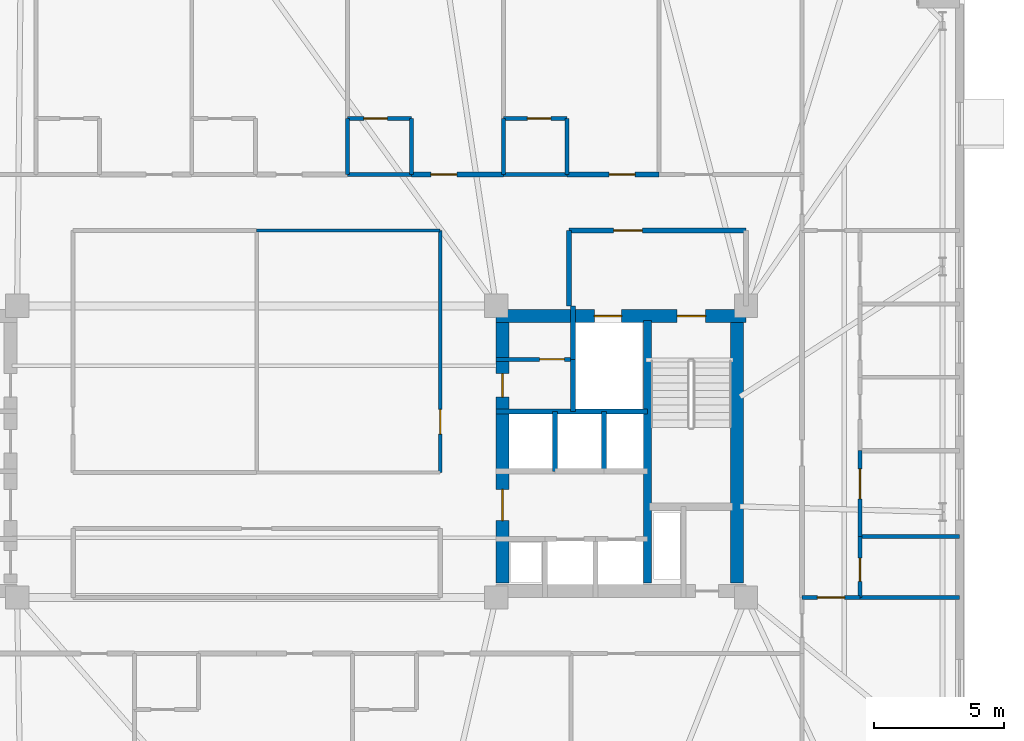
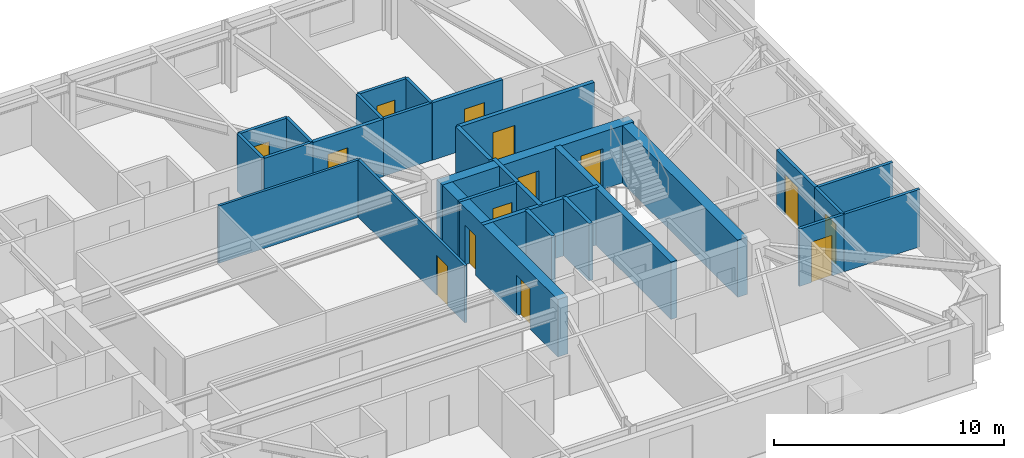
# One storey, part 14 of 18: 29 walls, 14 doors, 14 openings.
"""IFC4 building model written with IfcOpenShell, lengths in metres."""

from ifc_helpers import new_model, si_unit, direction, frame, frame_2d, origin, place, context, subcontext, project, spatial, rectangle, extrude, material, layer, layer_set, type_object, element, fill, save


model = new_model("IFC4")

# Units and contexts
model_context = context("Model", 3, precision=1e-05, world=origin(), true_north=direction((0.0, 1.0)))
body_context = subcontext(model_context, "Body", "Model", "MODEL_VIEW")
ifc_project = project(units=[si_unit("LENGTHUNIT", "METRE"), si_unit("AREAUNIT", "SQUARE_METRE"), si_unit("VOLUMEUNIT", "CUBIC_METRE"), si_unit("PLANEANGLEUNIT", "RADIAN"), si_unit("MASSUNIT", "GRAM", prefix="KILO")], contexts=[model_context])

# Site, building, storey
site_placement = place(None, origin())
site = spatial("IfcSite", under=ifc_project, at=site_placement, CompositionType="ELEMENT")
building_placement = place(site_placement, origin())
building = spatial("IfcBuilding", under=site, at=building_placement, Name="Qobustan Lattice House", CompositionType="ELEMENT")
storey_placement = place(building_placement, frame((0.0, 0.0, 134.35009765625)))
storey = spatial("IfcBuildingStorey", under=building, at=storey_placement, Name="L37", CompositionType="ELEMENT", Elevation=134.35009765625)

# Wall, openings, doors
ifc_material_1 = material(Name="Concrete C50/60", Category="concrete")
ifc_layer_1 = layer(ifc_material_1, 0.5)
ifc_layer_set_1 = layer_set([ifc_layer_1], Name="Concrete C50/60")
wall_type_1 = type_object("IfcWallType", Name="WAL-CORE-500", PredefinedType="SHEAR", material=ifc_layer_set_1)
wall_1_placement = place(storey_placement, frame((9.199951171875, 5.2099609375, 0.0), z_axis=(0.0, 0.0, 1.0), x_axis=(1.0, 0.0, 0.0)))
wall_1 = element("IfcWall", 1, at=wall_1_placement, inside=storey, type_object=wall_type_1, Name="L37 split-core shear wall CE-N", PredefinedType="SHEAR", context=body_context, shape_type="SweptSolid", body=[
    extrude(rectangle(XDim=9.60009765625, YDim=0.5, at=frame_2d((4.800048828125, 0.0))), origin(), (0.0, 0.0, 1.0), 3.039794921875),
])
opening_1_placement = place(wall_1_placement, frame((6.949951171875, 0.0, 0.0)))
opening_1 = element("IfcOpeningElement", 2, at=opening_1_placement, cuts=wall_1, Name="Opening SD-01", PredefinedType="OPENING", context=body_context, shape_type="SweptSolid", body=[
    extrude(rectangle(XDim=1.10009765625, YDim=2.14990234375, at=frame_2d((0.550048828125, 1.074951171875))), frame((0.0, 0.260009765625, 0.0), z_axis=(0.0, -1.0, 0.0), x_axis=(1.0, 0.0, 0.0)), (0.0, 0.0, 1.0), 0.52001953125),
])
opening_2_placement = place(wall_1_placement, frame((3.77490234375, 0.0, 0.0)))
opening_2 = element("IfcOpeningElement", 3, at=opening_2_placement, cuts=wall_1, Name="Opening LD-01", PredefinedType="OPENING", context=body_context, shape_type="SweptSolid", body=[
    extrude(rectangle(XDim=1.050048828125, YDim=2.10009765625, at=frame_2d((0.52490234375, 1.050048828125))), frame((0.0, 0.260009765625, 0.0), z_axis=(0.0, -1.0, 0.0), x_axis=(1.0, 0.0, 0.0)), (0.0, 0.0, 1.0), 0.52001953125),
])
ifc_material_2 = material(Name="Persian walnut timber and steel frame door", Category="steel")
door_type_1 = type_object("IfcDoorType", Name="DOR-LIFT-LD-1050x2100", OperationType="NOTDEFINED", PredefinedType="DOOR", material=ifc_material_2)
door_1_placement = place(opening_2_placement, origin())
door_1 = element("IfcDoor", 4, at=door_1_placement, inside=storey, type_object=door_type_1, Name="L37 firefighting lift FF-E landing door", OperationType="DOUBLE_DOOR_SLIDING", OverallHeight=2.10009765625, OverallWidth=1.050048828125, PredefinedType="DOOR", context=body_context, shape_type="SweptSolid", body=[
    extrude(rectangle(XDim=1.050048828125, YDim=2.10009765625, at=frame_2d((0.52490234375, 1.050048828125))), frame((0.0, 0.02490234375, 0.0), z_axis=(0.0, -1.0, 0.0), x_axis=(1.0, 0.0, 0.0)), (0.0, 0.0, 1.0), 0.050048828125),
])
fill(opening_2, door_1)
ifc_material_3 = material(Name="Persian walnut timber and steel frame door", Category="steel")
door_type_2 = type_object("IfcDoorType", Name="DOR-STAIR-FD-1100x2150", OperationType="NOTDEFINED", PredefinedType="DOOR", material=ifc_material_3)
door_2_placement = place(opening_1_placement, origin())
door_2 = element("IfcDoor", 5, at=door_2_placement, inside=storey, type_object=door_type_2, Name="L37 exit stair ST-E1 fire door", OperationType="SINGLE_SWING_RIGHT", OverallHeight=2.14990234375, OverallWidth=1.10009765625, PredefinedType="DOOR", context=body_context, shape_type="SweptSolid", body=[
    extrude(rectangle(XDim=1.10009765625, YDim=2.14990234375, at=frame_2d((0.550048828125, 1.074951171875))), frame((0.0, 0.02490234375, 0.0), z_axis=(0.0, -1.0, 0.0), x_axis=(1.0, 0.0, 0.0)), (0.0, 0.0, 1.0), 0.050048828125),
])
fill(opening_1, door_2)

wall_2_placement = place(storey_placement, frame((9.449951171875, -5.050048828125, 0.0), z_axis=(0.0, 0.0, 1.0), x_axis=(0.0, 1.0, 0.0)))
wall_2 = element("IfcWall", 6, at=wall_2_placement, inside=storey, type_object=wall_type_1, Name="L37 split-core shear wall CE-W", PredefinedType="SHEAR", context=body_context, shape_type="SweptSolid", body=[
    extrude(rectangle(XDim=10.10009765625, YDim=0.5, at=frame_2d((5.050048828125, 0.0))), origin(), (0.0, 0.0, 1.0), 3.039794921875),
])
opening_3_placement = place(wall_2_placement, frame((7.14990234375, 0.0, 0.0)))
opening_3 = element("IfcOpeningElement", 7, at=opening_3_placement, cuts=wall_2, Name="Opening RD-01", PredefinedType="OPENING", context=body_context, shape_type="SweptSolid", body=[
    extrude(rectangle(XDim=0.89990234375, YDim=2.10009765625, at=frame_2d((0.449951171875, 1.050048828125))), frame((0.0, 0.260009765625, 0.0), z_axis=(0.0, -1.0, 0.0), x_axis=(1.0, 0.0, 0.0)), (0.0, 0.0, 1.0), 0.52001953125),
])
opening_4_placement = place(wall_2_placement, frame((2.39990234375, 0.0, 0.0)))
opening_4 = element("IfcOpeningElement", 8, at=opening_4_placement, cuts=wall_2, Name="Opening FD-01", PredefinedType="OPENING", context=body_context, shape_type="SweptSolid", body=[
    extrude(rectangle(XDim=1.199951171875, YDim=2.14990234375, at=frame_2d((0.60009765625, 1.074951171875))), frame((0.0, 0.260009765625, 0.0), z_axis=(0.0, -1.0, 0.0), x_axis=(1.0, 0.0, 0.0)), (0.0, 0.0, 1.0), 0.52001953125),
])
ifc_material_4 = material(Name="Persian walnut timber and steel frame door", Category="steel")
door_type_3 = type_object("IfcDoorType", Name="DOR-LOBBY-FD-1200x2150", OperationType="NOTDEFINED", PredefinedType="DOOR", material=ifc_material_4)
door_3_placement = place(opening_4_placement, origin())
door_3 = element("IfcDoor", 9, at=door_3_placement, inside=storey, type_object=door_type_3, Name="L37 East passenger lift lobby fire door", OperationType="SINGLE_SWING_RIGHT", OverallHeight=2.14990234375, OverallWidth=1.199951171875, PredefinedType="DOOR", context=body_context, shape_type="SweptSolid", body=[
    extrude(rectangle(XDim=1.199951171875, YDim=2.14990234375, at=frame_2d((0.60009765625, 1.074951171875))), frame((0.0, 0.02490234375, 0.0), z_axis=(0.0, -1.0, 0.0), x_axis=(1.0, 0.0, 0.0)), (0.0, 0.0, 1.0), 0.050048828125),
])
fill(opening_4, door_3)
ifc_material_5 = material(Name="Persian walnut timber and steel frame door", Category="steel")
door_type_4 = type_object("IfcDoorType", Name="DOR-RISER-FD-900x2100", OperationType="NOTDEFINED", PredefinedType="DOOR", material=ifc_material_5)
door_4_placement = place(opening_3_placement, origin())
door_4 = element("IfcDoor", 10, at=door_4_placement, inside=storey, type_object=door_type_4, Name="L37 Housekeeping utility foyer fire door", OperationType="SINGLE_SWING_LEFT", OverallHeight=2.10009765625, OverallWidth=0.89990234375, PredefinedType="DOOR", context=body_context, shape_type="SweptSolid", body=[
    extrude(rectangle(XDim=0.89990234375, YDim=2.10009765625, at=frame_2d((0.449951171875, 1.050048828125))), frame((0.0, 0.02490234375, 0.0), z_axis=(0.0, -1.0, 0.0), x_axis=(1.0, 0.0, 0.0)), (0.0, 0.0, 1.0), 0.050048828125),
])
fill(opening_3, door_4)

# Walls
wall_3_placement = place(storey_placement, frame((18.4599609375, -5.050048828125, 0.0), z_axis=(0.0, 0.0, 1.0), x_axis=(0.0, 1.0, 0.0)))
element("IfcWall", 11, at=wall_3_placement, inside=storey, type_object=wall_type_1, Name="L37 split-core shear wall CE-E", PredefinedType="SHEAR", context=body_context, shape_type="SweptSolid", body=[
    extrude(rectangle(XDim=10.10009765625, YDim=0.5, at=frame_2d((5.050048828125, 0.0))), origin(), (0.0, 0.0, 1.0), 3.039794921875),
])
ifc_material_6 = material(Name="Concrete C50/60", Category="concrete")
ifc_layer_2 = layer(ifc_material_6, 0.280029296875)
ifc_layer_set_2 = layer_set([ifc_layer_2], Name="Concrete C50/60")
wall_type_2 = type_object("IfcWallType", Name="WAL-CORE-SPINE-280", PredefinedType="SHEAR", material=ifc_layer_set_2)
wall_4_placement = place(storey_placement, frame((15.02001953125, -5.050048828125, 0.0), z_axis=(0.0, 0.0, 1.0), x_axis=(0.0, 1.0, 0.0)))
element("IfcWall", 12, at=wall_4_placement, inside=storey, type_object=wall_type_2, Name="L37 split-core shear wall CE-M", PredefinedType="SHEAR", context=body_context, shape_type="SweptSolid", body=[
    extrude(rectangle(XDim=10.10009765625, YDim=0.300048828125, at=frame_2d((5.050048828125, 0.0))), origin(), (0.0, 0.0, 1.0), 3.039794921875),
])

# Wall, opening, door
ifc_material_7 = material(Name="Gypsum fireboard acoustic partition", Category="gypsum")
ifc_layer_3 = layer(ifc_material_7, 0.179931640625)
ifc_layer_set_3 = layer_set([ifc_layer_3], Name="Gypsum fireboard acoustic partition")
wall_type_3 = type_object("IfcWallType", Name="WAL-FIRE-180", PredefinedType="PARTITIONING", material=ifc_layer_set_3)
wall_5_placement = place(storey_placement, frame((5.943115234375, 10.64990234375, 0.0), z_axis=(0.0, 0.0, 1.0), x_axis=(1.0, 0.0, 0.0)))
wall_5 = element("IfcWall", 13, at=wall_5_placement, inside=storey, type_object=wall_type_3, Name="L37 interior partition 44", PredefinedType="PARTITIONING", context=body_context, shape_type="SweptSolid", body=[
    extrude(rectangle(XDim=3.535888671875, YDim=0.179931640625, at=frame_2d((1.76806640625, 0.0))), origin(), (0.0, 0.0, 1.0), 3.039794921875),
])
opening_5_placement = place(wall_5_placement, frame((0.751953125, 0.0, 0.0)))
opening_5 = element("IfcOpeningElement", 14, at=opening_5_placement, cuts=wall_5, Name="Opening FD-02", PredefinedType="OPENING", context=body_context, shape_type="SweptSolid", body=[
    extrude(rectangle(XDim=1.0, YDim=2.14990234375, at=frame_2d((0.5, 1.074951171875))), frame((0.0, 0.099853515625, 0.0), z_axis=(0.0, -1.0, 0.0), x_axis=(1.0, 0.0, 0.0)), (0.0, 0.0, 1.0), 0.199951171875),
])
ifc_material_8 = material(Name="Persian walnut timber and steel frame door", Category="steel")
door_type_5 = type_object("IfcDoorType", Name="DOR-UNIT-FD-1000x2150", OperationType="NOTDEFINED", PredefinedType="DOOR", material=ifc_material_8)
door_5_placement = place(opening_5_placement, origin())
door_5 = element("IfcDoor", 15, at=door_5_placement, inside=storey, type_object=door_type_5, Name="L37 North-east floor corridor to Kitchenette and studio apartment L37-N5 door", OperationType="SINGLE_SWING_RIGHT", OverallHeight=2.14990234375, OverallWidth=1.0, PredefinedType="DOOR", context=body_context, shape_type="SweptSolid", body=[
    extrude(rectangle(XDim=1.0, YDim=2.14990234375, at=frame_2d((0.5, 1.074951171875))), frame((0.0, 0.02490234375, 0.0), z_axis=(0.0, -1.0, 0.0), x_axis=(1.0, 0.0, 0.0)), (0.0, 0.0, 1.0), 0.050048828125),
])
fill(opening_5, door_5)

wall_6_placement = place(storey_placement, frame((11.928955078125, 10.64990234375, 0.0), z_axis=(0.0, 0.0, 1.0), x_axis=(1.0, 0.0, 0.0)))
wall_6 = element("IfcWall", 16, at=wall_6_placement, inside=storey, type_object=wall_type_3, Name="L37 interior partition 46", PredefinedType="PARTITIONING", context=body_context, shape_type="SweptSolid", body=[
    extrude(rectangle(XDim=3.53515625, YDim=0.179931640625, at=frame_2d((1.767578125, 0.0))), origin(), (0.0, 0.0, 1.0), 3.039794921875),
])
opening_6_placement = place(wall_6_placement, frame((1.611328125, 0.0, 0.0)))
opening_6 = element("IfcOpeningElement", 17, at=opening_6_placement, cuts=wall_6, Name="Opening FD-02", PredefinedType="OPENING", context=body_context, shape_type="SweptSolid", body=[
    extrude(rectangle(XDim=1.0, YDim=2.14990234375, at=frame_2d((0.5, 1.074951171875))), frame((0.0, 0.099853515625, 0.0), z_axis=(0.0, -1.0, 0.0), x_axis=(1.0, 0.0, 0.0)), (0.0, 0.0, 1.0), 0.199951171875),
])
door_6_placement = place(opening_6_placement, origin())
door_6 = element("IfcDoor", 18, at=door_6_placement, inside=storey, type_object=door_type_5, Name="L37 North-east floor corridor to Kitchenette and studio apartment L37-N6 door", OperationType="SINGLE_SWING_LEFT", OverallHeight=2.14990234375, OverallWidth=1.0, PredefinedType="DOOR", context=body_context, shape_type="SweptSolid", body=[
    extrude(rectangle(XDim=1.0, YDim=2.14990234375, at=frame_2d((0.5, 1.074951171875))), frame((0.0, 0.02490234375, 0.0), z_axis=(0.0, -1.0, 0.0), x_axis=(1.0, 0.0, 0.0)), (0.0, 0.0, 1.0), 0.050048828125),
])
fill(opening_6, door_6)

# Wall
ifc_material_9 = material(Name="Lightweight acoustic stud partition", Category="gypsum")
ifc_layer_4 = layer(ifc_material_9, 0.125)
ifc_layer_set_4 = layer_set([ifc_layer_4], Name="Lightweight acoustic stud partition")
wall_type_4 = type_object("IfcWallType", Name="WAL-PART-125", PredefinedType="PARTITIONING", material=ifc_layer_set_4)
wall_7_placement = place(storey_placement, frame((7.050048828125, 8.5, 0.0), z_axis=(0.0, 0.0, 1.0), x_axis=(-1.0, 0.0, 0.0)))
element("IfcWall", 19, at=wall_7_placement, inside=storey, type_object=wall_type_4, Name="L37 interior partition 49", PredefinedType="PARTITIONING", context=body_context, shape_type="SweptSolid", body=[
    extrude(rectangle(XDim=7.050048828125, YDim=0.125, at=frame_2d((3.52490234375, 0.0))), origin(), (0.0, 0.0, 1.0), 3.039794921875),
])

# Wall, opening, door
wall_8_placement = place(storey_placement, frame((7.050048828125, -0.800048828125, 0.0), z_axis=(0.0, 0.0, 1.0), x_axis=(0.0, 1.0, 0.0)))
wall_8 = element("IfcWall", 20, at=wall_8_placement, inside=storey, type_object=wall_type_4, Name="L37 interior partition 70", PredefinedType="PARTITIONING", context=body_context, shape_type="SweptSolid", body=[
    extrude(rectangle(XDim=9.300048828125, YDim=0.125, at=frame_2d((4.64990234375, 0.0))), origin(), (0.0, 0.0, 1.0), 3.039794921875),
])
opening_7_placement = place(wall_8_placement, frame((1.478759765625, 0.0, 0.0)))
opening_7 = element("IfcOpeningElement", 21, at=opening_7_placement, cuts=wall_8, Name="Opening ID-01", PredefinedType="OPENING", context=body_context, shape_type="SweptSolid", body=[
    extrude(rectangle(XDim=0.949951171875, YDim=2.10009765625, at=frame_2d((0.47509765625, 1.050048828125))), frame((0.0, 0.072509765625, 0.0), z_axis=(0.0, -1.0, 0.0), x_axis=(1.0, 0.0, 0.0)), (0.0, 0.0, 1.0), 0.14501953125),
])
ifc_material_10 = material(Name="Persian walnut timber and steel frame door", Category="steel")
door_type_6 = type_object("IfcDoorType", Name="DOR-ROOM-950x2100", OperationType="NOTDEFINED", PredefinedType="DOOR", material=ifc_material_10)
door_7_placement = place(opening_7_placement, origin())
door_7 = element("IfcDoor", 22, at=door_7_placement, inside=storey, type_object=door_type_6, Name="L37 East floor link corridor to Focus booth salon door", OperationType="SINGLE_SWING_RIGHT", OverallHeight=2.10009765625, OverallWidth=0.949951171875, PredefinedType="DOOR", context=body_context, shape_type="SweptSolid", body=[
    extrude(rectangle(XDim=0.949951171875, YDim=2.10009765625, at=frame_2d((0.47509765625, 1.050048828125))), frame((0.0, 0.02490234375, 0.0), z_axis=(0.0, -1.0, 0.0), x_axis=(1.0, 0.0, 0.0)), (0.0, 0.0, 1.0), 0.050048828125),
])
fill(opening_7, door_7)

ifc_material_11 = material(Name="Acoustic twin-stud gypsum partition", Category="gypsum")
ifc_layer_5 = layer(ifc_material_11, 0.14990234375)
ifc_layer_set_5 = layer_set([ifc_layer_5], Name="Acoustic twin-stud gypsum partition")
wall_type_5 = type_object("IfcWallType", Name="WAL-PART-150", PredefinedType="PARTITIONING", material=ifc_layer_set_5)
wall_9_placement = place(storey_placement, frame((12.14990234375, 3.550048828125, 0.0), z_axis=(0.0, 0.0, 1.0), x_axis=(-1.0, 0.0, 0.0)))
wall_9 = element("IfcWall", 23, at=wall_9_placement, inside=storey, type_object=wall_type_5, Name="L37 interior partition 21", PredefinedType="PARTITIONING", context=body_context, shape_type="SweptSolid", body=[
    extrude(rectangle(XDim=2.949951171875, YDim=0.14990234375, at=frame_2d((1.47509765625, 0.0))), origin(), (0.0, 0.0, 1.0), 3.039794921875),
])
opening_8_placement = place(wall_9_placement, frame((0.324951171875, 0.0, 0.0)))
opening_8 = element("IfcOpeningElement", 24, at=opening_8_placement, cuts=wall_9, Name="Opening ID-01", PredefinedType="OPENING", context=body_context, shape_type="SweptSolid", body=[
    extrude(rectangle(XDim=0.949951171875, YDim=2.10009765625, at=frame_2d((0.47509765625, 1.050048828125))), frame((0.0, 0.0849609375, 0.0), z_axis=(0.0, -1.0, 0.0), x_axis=(1.0, 0.0, 0.0)), (0.0, 0.0, 1.0), 0.169921875),
])
door_8_placement = place(opening_8_placement, origin())
door_8 = element("IfcDoor", 25, at=door_8_placement, inside=storey, type_object=door_type_6, Name="L37 Housekeeping utility foyer to Cleaner cupboard door", OperationType="SINGLE_SWING_RIGHT", OverallHeight=2.10009765625, OverallWidth=0.949951171875, PredefinedType="DOOR", context=body_context, shape_type="SweptSolid", body=[
    extrude(rectangle(XDim=0.949951171875, YDim=2.10009765625, at=frame_2d((0.47509765625, 1.050048828125))), frame((0.0, 0.02490234375, 0.0), z_axis=(0.0, -1.0, 0.0), x_axis=(1.0, 0.0, 0.0)), (0.0, 0.0, 1.0), 0.050048828125),
])
fill(opening_8, door_8)

wall_10_placement = place(storey_placement, frame((23.179931640625, -5.60009765625, 0.0), z_axis=(0.0, 0.0, 1.0), x_axis=(-1.0, 0.0, 0.0)))
wall_10 = element("IfcWall", 26, at=wall_10_placement, inside=storey, type_object=wall_type_5, Name="L37 interior partition 90", PredefinedType="PARTITIONING", context=body_context, shape_type="SweptSolid", body=[
    extrude(rectangle(XDim=2.22998046875, YDim=0.14990234375, at=frame_2d((1.114990234375, 0.0))), origin(), (0.0, 0.0, 1.0), 3.039794921875),
])
opening_9_placement = place(wall_10_placement, frame((0.590087890625, 0.0, 0.0)))
opening_9 = element("IfcOpeningElement", 27, at=opening_9_placement, cuts=wall_10, Name="Opening ID-02", PredefinedType="OPENING", context=body_context, shape_type="SweptSolid", body=[
    extrude(rectangle(XDim=1.050048828125, YDim=2.14990234375, at=frame_2d((0.52490234375, 1.074951171875))), frame((0.0, 0.0849609375, 0.0), z_axis=(0.0, -1.0, 0.0), x_axis=(1.0, 0.0, 0.0)), (0.0, 0.0, 1.0), 0.169921875),
])
ifc_material_12 = material(Name="Persian walnut timber and steel frame door", Category="steel")
door_type_7 = type_object("IfcDoorType", Name="DOR-STUDY-1050x2150", OperationType="NOTDEFINED", PredefinedType="DOOR", material=ifc_material_12)
door_9_placement = place(opening_9_placement, origin())
door_9 = element("IfcDoor", 28, at=door_9_placement, inside=storey, type_object=door_type_7, Name="L37 Residence entrance hall L37E to Reading study room L37ES door", OperationType="SINGLE_SWING_RIGHT", OverallHeight=2.14990234375, OverallWidth=1.050048828125, PredefinedType="DOOR", context=body_context, shape_type="SweptSolid", body=[
    extrude(rectangle(XDim=1.050048828125, YDim=2.14990234375, at=frame_2d((0.52490234375, 1.074951171875))), frame((0.0, 0.02490234375, 0.0), z_axis=(0.0, -1.0, 0.0), x_axis=(1.0, 0.0, 0.0)), (0.0, 0.0, 1.0), 0.050048828125),
])
fill(opening_9, door_9)

ifc_material_13 = material(Name="High-mass acoustic twin-stud partition", Category="gypsum")
ifc_layer_6 = layer(ifc_material_13, 0.1650390625)
ifc_layer_set_6 = layer_set([ifc_layer_6], Name="High-mass acoustic twin-stud partition")
wall_type_6 = type_object("IfcWallType", Name="WAL-PART-165", PredefinedType="PARTITIONING", material=ifc_layer_set_6)
wall_11_placement = place(storey_placement, frame((23.179931640625, 0.0400390625, 0.0), z_axis=(0.0, 0.0, 1.0), x_axis=(0.0, -1.0, 0.0)))
wall_11 = element("IfcWall", 29, at=wall_11_placement, inside=storey, type_object=wall_type_6, Name="L37 interior partition 92", PredefinedType="PARTITIONING", context=body_context, shape_type="SweptSolid", body=[
    extrude(rectangle(XDim=3.2900390625, YDim=0.1650390625, at=frame_2d((1.64501953125, 0.0))), origin(), (0.0, 0.0, 1.0), 3.039794921875),
])
opening_10_placement = place(wall_11_placement, frame((0.702392578125, 0.0, 0.0)))
opening_10 = element("IfcOpeningElement", 30, at=opening_10_placement, cuts=wall_11, Name="Opening ID-03", PredefinedType="OPENING", context=body_context, shape_type="SweptSolid", body=[
    extrude(rectangle(XDim=1.14990234375, YDim=2.14990234375, at=frame_2d((0.574951171875, 1.074951171875))), frame((0.0, 0.092529296875, 0.0), z_axis=(0.0, -1.0, 0.0), x_axis=(1.0, 0.0, 0.0)), (0.0, 0.0, 1.0), 0.18505859375),
])
ifc_material_14 = material(Name="Persian walnut timber and steel frame door", Category="steel")
door_type_8 = type_object("IfcDoorType", Name="DOR-KITCH-1150x2150", OperationType="NOTDEFINED", PredefinedType="DOOR", material=ifc_material_14)
door_10_placement = place(opening_10_placement, origin())
door_10 = element("IfcDoor", 31, at=door_10_placement, inside=storey, type_object=door_type_8, Name="L37 Residence entrance hall L37E to Shared kitchen L37E door", OperationType="SINGLE_SWING_RIGHT", OverallHeight=2.14990234375, OverallWidth=1.14990234375, PredefinedType="DOOR", context=body_context, shape_type="SweptSolid", body=[
    extrude(rectangle(XDim=1.14990234375, YDim=2.14990234375, at=frame_2d((0.574951171875, 1.074951171875))), frame((0.0, 0.02490234375, 0.0), z_axis=(0.0, -1.0, 0.0), x_axis=(1.0, 0.0, 0.0)), (0.0, 0.0, 1.0), 0.050048828125),
])
fill(opening_10, door_10)

ifc_material_15 = material(Name="Two-hour gypsum fireboard acoustic partition", Category="gypsum")
ifc_layer_7 = layer(ifc_material_15, 0.199951171875)
ifc_layer_set_7 = layer_set([ifc_layer_7], Name="Two-hour gypsum fireboard acoustic partition")
wall_type_7 = type_object("IfcWallType", Name="WAL-PROT-200", PredefinedType="PARTITIONING", material=ifc_layer_set_7)
wall_12_placement = place(storey_placement, frame((18.800048828125, 8.5, 0.0), z_axis=(0.0, 0.0, 1.0), x_axis=(-1.0, 0.0, 0.0)))
wall_12 = element("IfcWall", 32, at=wall_12_placement, inside=storey, type_object=wall_type_7, Name="L37 interior partition 18", PredefinedType="PARTITIONING", context=body_context, shape_type="SweptSolid", body=[
    extrude(rectangle(XDim=6.800048828125, YDim=0.199951171875, at=frame_2d((3.39990234375, 0.0))), origin(), (0.0, 0.0, 1.0), 3.039794921875),
])
opening_11_placement = place(wall_12_placement, frame((3.985107421875, 0.0, 0.0)))
opening_11 = element("IfcOpeningElement", 33, at=opening_11_placement, cuts=wall_12, Name="Opening SD-01", PredefinedType="OPENING", context=body_context, shape_type="SweptSolid", body=[
    extrude(rectangle(XDim=1.10009765625, YDim=2.14990234375, at=frame_2d((0.550048828125, 1.074951171875))), frame((0.0, 0.10986328125, 0.0), z_axis=(0.0, -1.0, 0.0), x_axis=(1.0, 0.0, 0.0)), (0.0, 0.0, 1.0), 0.219970703125),
])
door_11_placement = place(opening_11_placement, origin())
door_11 = element("IfcDoor", 34, at=door_11_placement, inside=storey, type_object=door_type_2, Name="L37 East firefighting lift lobby to North-east floor corridor door", OperationType="SINGLE_SWING_LEFT", OverallHeight=2.14990234375, OverallWidth=1.10009765625, PredefinedType="DOOR", context=body_context, shape_type="SweptSolid", body=[
    extrude(rectangle(XDim=1.10009765625, YDim=2.14990234375, at=frame_2d((0.550048828125, 1.074951171875))), frame((0.0, 0.02490234375, 0.0), z_axis=(0.0, -1.0, 0.0), x_axis=(1.0, 0.0, 0.0)), (0.0, 0.0, 1.0), 0.050048828125),
])
fill(opening_11, door_11)

# Walls
wall_13_placement = place(storey_placement, frame((12.0, 8.5, 0.0), z_axis=(0.0, 0.0, 1.0), x_axis=(0.0, -1.0, 0.0)))
element("IfcWall", 35, at=wall_13_placement, inside=storey, type_object=wall_type_7, Name="L37 interior partition 20", PredefinedType="PARTITIONING", context=body_context, shape_type="SweptSolid", body=[
    extrude(rectangle(XDim=2.89990234375, YDim=0.199951171875, at=frame_2d((1.449951171875, 0.0))), origin(), (0.0, 0.0, 1.0), 3.039794921875),
])
ifc_material_16 = material(Name="Concrete C40/50", Category="concrete")
ifc_layer_8 = layer(ifc_material_16, 0.199951171875)
ifc_layer_set_8 = layer_set([ifc_layer_8], Name="Concrete C40/50")
wall_type_8 = type_object("IfcWallType", Name="WAL-SHAFT-200", PredefinedType="PARTITIONING", material=ifc_layer_set_8)
wall_14_placement = place(storey_placement, frame((12.14990234375, 3.550048828125, 0.0), z_axis=(0.0, 0.0, 1.0), x_axis=(0.0, -1.0, 0.0)))
element("IfcWall", 36, at=wall_14_placement, inside=storey, type_object=wall_type_8, Name="L37 interior partition 16", PredefinedType="PARTITIONING", context=body_context, shape_type="SweptSolid", body=[
    extrude(rectangle(XDim=2.0, YDim=0.199951171875, at=frame_2d((1.0, 0.0))), origin(), (0.0, 0.0, 1.0), 3.039794921875),
])
wall_15_placement = place(storey_placement, frame((12.14990234375, 5.60009765625, 0.0), z_axis=(0.0, 0.0, 1.0), x_axis=(0.0, -1.0, 0.0)))
element("IfcWall", 37, at=wall_15_placement, inside=storey, type_object=wall_type_8, Name="L37 interior partition 17", PredefinedType="PARTITIONING", context=body_context, shape_type="SweptSolid", body=[
    extrude(rectangle(XDim=2.050048828125, YDim=0.199951171875, at=frame_2d((1.02490234375, 0.0))), origin(), (0.0, 0.0, 1.0), 3.039794921875),
])
for number, where, z_axis, x_axis, name in (
    (38, (11.4599609375, -0.75, 0.0), (0.0, 0.0, 1.0), (0.0, 1.0, 0.0), "L37 interior partition 32"),
    (39, (13.340087890625, -0.75, 0.0), (0.0, 0.0, 1.0), (0.0, 1.0, 0.0), "L37 interior partition 33"),
):
    element("IfcWall", number, at=place(storey_placement, frame(where, z_axis=z_axis, x_axis=x_axis)), inside=storey, type_object=wall_type_8, Name=name, PredefinedType="PARTITIONING", context=body_context, shape_type="SweptSolid", body=[
        extrude(rectangle(XDim=2.300048828125, YDim=0.199951171875, at=frame_2d((1.14990234375, 0.0))), origin(), (0.0, 0.0, 1.0), 3.039794921875),
    ])
wall_16_placement = place(storey_placement, frame((9.199951171875, 1.550048828125, 0.0), z_axis=(0.0, 0.0, 1.0), x_axis=(1.0, 0.0, 0.0)))
element("IfcWall", 40, at=wall_16_placement, inside=storey, type_object=wall_type_8, Name="L37 interior partition 138", PredefinedType="PARTITIONING", context=body_context, shape_type="SweptSolid", body=[
    extrude(rectangle(XDim=5.820068359375, YDim=0.199951171875, at=frame_2d((2.91015625, 0.0))), origin(), (0.0, 0.0, 1.0), 3.039794921875),
])
ifc_material_17 = material(Name="Moisture-resistant acoustic plumbing wall", Category="gypsum")
ifc_layer_9 = layer(ifc_material_17, 0.14990234375)
ifc_layer_set_9 = layer_set([ifc_layer_9], Name="Moisture-resistant acoustic plumbing wall")
wall_type_9 = type_object("IfcWallType", Name="WAL-WET-150", PredefinedType="PLUMBINGWALL", material=ifc_layer_set_9)
wall_17_placement = place(storey_placement, frame((3.492919921875, 10.64990234375, 0.0), z_axis=(0.0, 0.0, 1.0), x_axis=(1.0, 0.0, 0.0)))
element("IfcWall", 41, at=wall_17_placement, inside=storey, type_object=wall_type_9, Name="L37 interior partition 45", PredefinedType="PLUMBINGWALL", context=body_context, shape_type="SweptSolid", body=[
    extrude(rectangle(XDim=2.4501953125, YDim=0.14990234375, at=frame_2d((1.22509765625, 0.0))), origin(), (0.0, 0.0, 1.0), 3.039794921875),
])
wall_18_placement = place(storey_placement, frame((9.47900390625, 10.64990234375, 0.0), z_axis=(0.0, 0.0, 1.0), x_axis=(1.0, 0.0, 0.0)))
element("IfcWall", 42, at=wall_18_placement, inside=storey, type_object=wall_type_9, Name="L37 interior partition 47", PredefinedType="PLUMBINGWALL", context=body_context, shape_type="SweptSolid", body=[
    extrude(rectangle(XDim=2.449951171875, YDim=0.14990234375, at=frame_2d((1.22509765625, 0.0))), origin(), (0.0, 0.0, 1.0), 3.039794921875),
])

# Wall, opening, door
wall_19_placement = place(storey_placement, frame((23.179931640625, -3.25, 0.0), z_axis=(0.0, 0.0, 1.0), x_axis=(0.0, -1.0, 0.0)))
wall_19 = element("IfcWall", 43, at=wall_19_placement, inside=storey, type_object=wall_type_9, Name="L37 interior partition 91", PredefinedType="PLUMBINGWALL", context=body_context, shape_type="SweptSolid", body=[
    extrude(rectangle(XDim=2.35009765625, YDim=0.14990234375, at=frame_2d((1.175048828125, 0.0))), origin(), (0.0, 0.0, 1.0), 3.039794921875),
])
opening_12_placement = place(wall_19_placement, frame((0.833740234375, 0.0, 0.0)))
opening_12 = element("IfcOpeningElement", 44, at=opening_12_placement, cuts=wall_19, Name="Opening WD-01", PredefinedType="OPENING", context=body_context, shape_type="SweptSolid", body=[
    extrude(rectangle(XDim=0.89990234375, YDim=2.10009765625, at=frame_2d((0.449951171875, 1.050048828125))), frame((0.0, 0.0849609375, 0.0), z_axis=(0.0, -1.0, 0.0), x_axis=(1.0, 0.0, 0.0)), (0.0, 0.0, 1.0), 0.169921875),
])
ifc_material_18 = material(Name="Persian walnut timber and steel frame door", Category="steel")
door_type_9 = type_object("IfcDoorType", Name="DOR-WET-900x2100", OperationType="NOTDEFINED", PredefinedType="DOOR", material=ifc_material_18)
door_12_placement = place(opening_12_placement, origin())
door_12 = element("IfcDoor", 45, at=door_12_placement, inside=storey, type_object=door_type_9, Name="L37 Residence entrance hall L37E to Shared bathroom L37E door", OperationType="SINGLE_SWING_LEFT", OverallHeight=2.10009765625, OverallWidth=0.89990234375, PredefinedType="DOOR", context=body_context, shape_type="SweptSolid", body=[
    extrude(rectangle(XDim=0.89990234375, YDim=2.10009765625, at=frame_2d((0.449951171875, 1.050048828125))), frame((0.0, 0.02490234375, 0.0), z_axis=(0.0, -1.0, 0.0), x_axis=(1.0, 0.0, 0.0)), (0.0, 0.0, 1.0), 0.050048828125),
])
fill(opening_12, door_12)

# Walls
for number, where, z_axis, x_axis, name in (
    (46, (23.179931640625, -5.60009765625, 0.0), (0.0, 0.0, 1.0), (1.0, 0.0, 0.0), "L37 interior partition 98"),
    (47, (23.179931640625, -3.25, 0.0), (0.0, 0.0, 1.0), (1.0, 0.0, 0.0), "L37 interior partition 100"),
):
    element("IfcWall", number, at=place(storey_placement, frame(where, z_axis=z_axis, x_axis=x_axis)), inside=storey, type_object=wall_type_9, Name=name, PredefinedType="PLUMBINGWALL", context=body_context, shape_type="SweptSolid", body=[
        extrude(rectangle(XDim=3.820068359375, YDim=0.14990234375, at=frame_2d((1.91015625, 0.0))), origin(), (0.0, 0.0, 1.0), 3.039794921875),
    ])
wall_20_placement = place(storey_placement, frame((3.492919921875, 12.800048828125, 0.0), z_axis=(0.0, 0.0, 1.0), x_axis=(0.0, -1.0, 0.0)))
element("IfcWall", 48, at=wall_20_placement, inside=storey, type_object=wall_type_9, Name="L37 interior partition 115", PredefinedType="PLUMBINGWALL", context=body_context, shape_type="SweptSolid", body=[
    extrude(rectangle(XDim=2.150146484375, YDim=0.14990234375, at=frame_2d((1.0751953125, 0.0))), origin(), (0.0, 0.0, 1.0), 3.039794921875),
])

# Wall, opening, door
wall_21_placement = place(storey_placement, frame((5.943115234375, 12.800048828125, 0.0), z_axis=(0.0, 0.0, 1.0), x_axis=(-1.0, 0.0, 0.0)))
wall_21 = element("IfcWall", 49, at=wall_21_placement, inside=storey, type_object=wall_type_9, Name="L37 interior partition 116", PredefinedType="PLUMBINGWALL", context=body_context, shape_type="SweptSolid", body=[
    extrude(rectangle(XDim=2.4501953125, YDim=0.14990234375, at=frame_2d((1.22509765625, 0.0))), origin(), (0.0, 0.0, 1.0), 3.039794921875),
])
opening_13_placement = place(wall_21_placement, frame((0.921142578125, 0.0, 0.0)))
opening_13 = element("IfcOpeningElement", 50, at=opening_13_placement, cuts=wall_21, Name="Opening WD-01", PredefinedType="OPENING", context=body_context, shape_type="SweptSolid", body=[
    extrude(rectangle(XDim=0.89990234375, YDim=2.10009765625, at=frame_2d((0.449951171875, 1.050048828125))), frame((0.0, 0.0849609375, 0.0), z_axis=(0.0, -1.0, 0.0), x_axis=(1.0, 0.0, 0.0)), (0.0, 0.0, 1.0), 0.169921875),
])
door_13_placement = place(opening_13_placement, origin())
door_13 = element("IfcDoor", 51, at=door_13_placement, inside=storey, type_object=door_type_9, Name="L37 Kitchenette and studio apartment L37-N5 to En-suite bathroom L37-N5 door", OperationType="SINGLE_SWING_RIGHT", OverallHeight=2.10009765625, OverallWidth=0.89990234375, PredefinedType="DOOR", context=body_context, shape_type="SweptSolid", body=[
    extrude(rectangle(XDim=0.89990234375, YDim=2.10009765625, at=frame_2d((0.449951171875, 1.050048828125))), frame((0.0, 0.02490234375, 0.0), z_axis=(0.0, -1.0, 0.0), x_axis=(1.0, 0.0, 0.0)), (0.0, 0.0, 1.0), 0.050048828125),
])
fill(opening_13, door_13)

# Walls
for number, where, z_axis, x_axis, name in (
    (52, (5.943115234375, 10.64990234375, 0.0), (0.0, 0.0, 1.0), (0.0, 1.0, 0.0), "L37 interior partition 117"),
    (53, (9.47900390625, 12.800048828125, 0.0), (0.0, 0.0, 1.0), (0.0, -1.0, 0.0), "L37 interior partition 119"),
):
    element("IfcWall", number, at=place(storey_placement, frame(where, z_axis=z_axis, x_axis=x_axis)), inside=storey, type_object=wall_type_9, Name=name, PredefinedType="PLUMBINGWALL", context=body_context, shape_type="SweptSolid", body=[
        extrude(rectangle(XDim=2.150146484375, YDim=0.14990234375, at=frame_2d((1.0751953125, 0.0))), origin(), (0.0, 0.0, 1.0), 3.039794921875),
    ])

# Wall, opening, door
wall_22_placement = place(storey_placement, frame((11.928955078125, 12.800048828125, 0.0), z_axis=(0.0, 0.0, 1.0), x_axis=(-1.0, 0.0, 0.0)))
wall_22 = element("IfcWall", 54, at=wall_22_placement, inside=storey, type_object=wall_type_9, Name="L37 interior partition 120", PredefinedType="PLUMBINGWALL", context=body_context, shape_type="SweptSolid", body=[
    extrude(rectangle(XDim=2.449951171875, YDim=0.14990234375, at=frame_2d((1.22509765625, 0.0))), origin(), (0.0, 0.0, 1.0), 3.039794921875),
])
opening_14_placement = place(wall_22_placement, frame((0.62890625, 0.0, 0.0)))
opening_14 = element("IfcOpeningElement", 55, at=opening_14_placement, cuts=wall_22, Name="Opening WD-01", PredefinedType="OPENING", context=body_context, shape_type="SweptSolid", body=[
    extrude(rectangle(XDim=0.89990234375, YDim=2.10009765625, at=frame_2d((0.449951171875, 1.050048828125))), frame((0.0, 0.0849609375, 0.0), z_axis=(0.0, -1.0, 0.0), x_axis=(1.0, 0.0, 0.0)), (0.0, 0.0, 1.0), 0.169921875),
])
door_14_placement = place(opening_14_placement, origin())
door_14 = element("IfcDoor", 56, at=door_14_placement, inside=storey, type_object=door_type_9, Name="L37 Kitchenette and studio apartment L37-N6 to En-suite bathroom L37-N6 door", OperationType="SINGLE_SWING_LEFT", OverallHeight=2.10009765625, OverallWidth=0.89990234375, PredefinedType="DOOR", context=body_context, shape_type="SweptSolid", body=[
    extrude(rectangle(XDim=0.89990234375, YDim=2.10009765625, at=frame_2d((0.449951171875, 1.050048828125))), frame((0.0, 0.02490234375, 0.0), z_axis=(0.0, -1.0, 0.0), x_axis=(1.0, 0.0, 0.0)), (0.0, 0.0, 1.0), 0.050048828125),
])
fill(opening_14, door_14)

# Wall
wall_23_placement = place(storey_placement, frame((11.928955078125, 10.64990234375, 0.0), z_axis=(0.0, 0.0, 1.0), x_axis=(0.0, 1.0, 0.0)))
element("IfcWall", 57, at=wall_23_placement, inside=storey, type_object=wall_type_9, Name="L37 interior partition 121", PredefinedType="PLUMBINGWALL", context=body_context, shape_type="SweptSolid", body=[
    extrude(rectangle(XDim=2.150146484375, YDim=0.14990234375, at=frame_2d((1.0751953125, 0.0))), origin(), (0.0, 0.0, 1.0), 3.039794921875),
])

save(model, "model.ifc")
